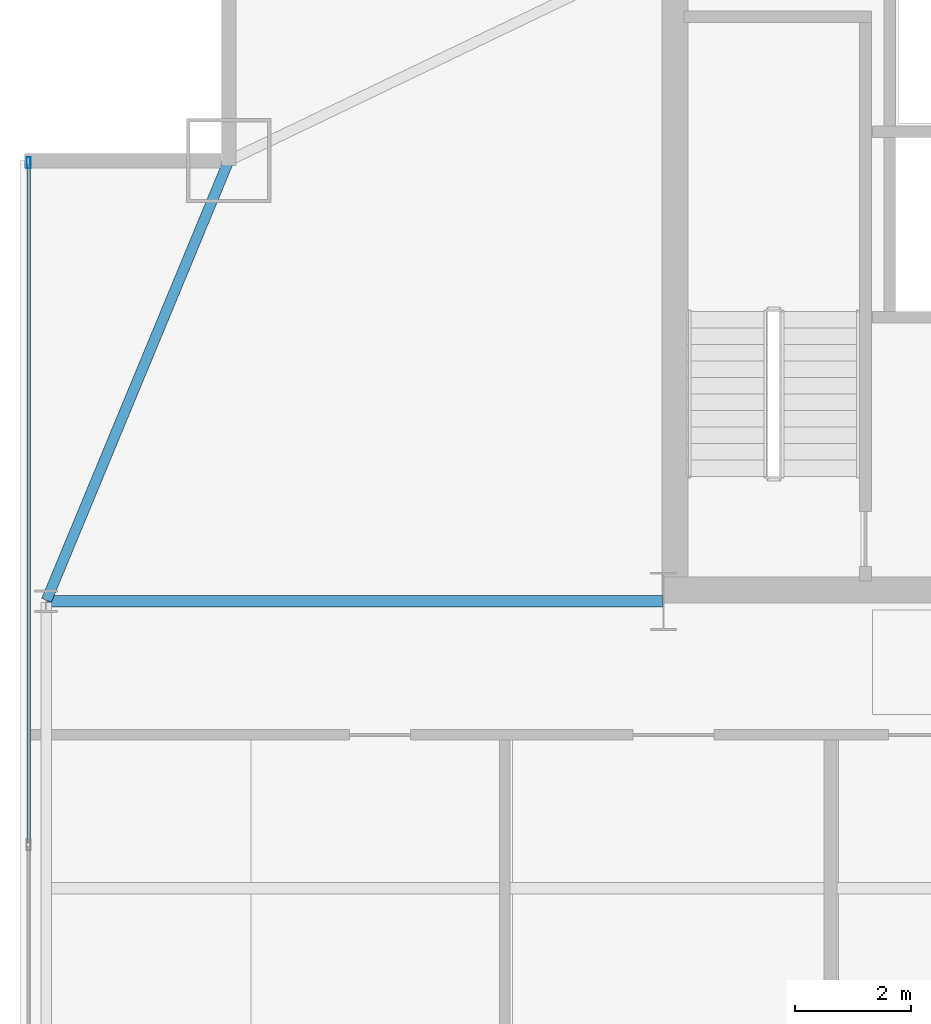
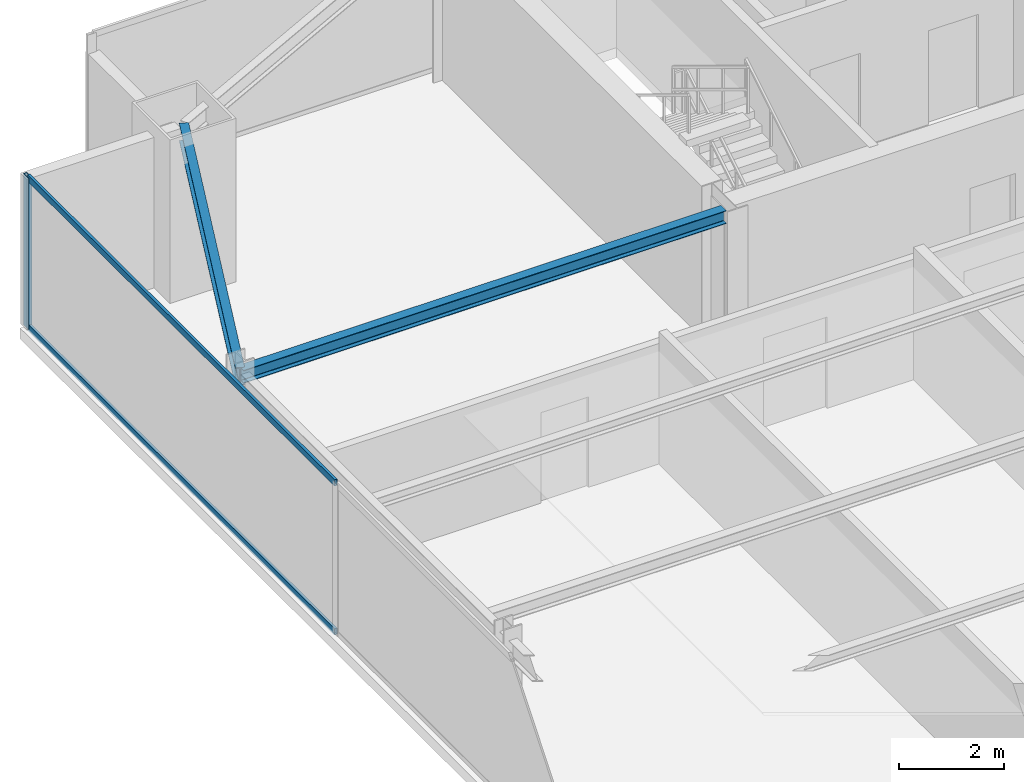
# One storey, part 21 of 31: 3 members, 2 beams, 1 element without a shape of its own.
"""IFC4 building model written with IfcOpenShell, lengths in metres."""

import ifcopenshell
import ifcopenshell.guid

model = None  # the IFC model being written
_history = None  # IfcOwnerHistory: only IFC2X3 demands one
_inside = {}  # id of a spatial element -> (the spatial element, [elements in it])
_under = {}  # id of a project, library or spatial element -> (it, [spatial elements below it])
_declared = {}  # id of a project -> (the project, [libraries it declares])
_typed = {}  # id of a type object -> (the type object, [elements of that type])
_made_of = {}  # id of a material, layer set ... -> (it, [elements and type objects made of it])


def new_model(schema):
    """Start an empty IFC model of exactly this schema.

    Asked for "IFC4X3", IfcOpenShell would pick the latest addendum, in which some entities
    have other attributes; the version numbers below select the first issue.
    IFC2X3 requires an IfcOwnerHistory on every rooted entity: one is made here for all.
    """
    global model, _history
    if schema == "IFC4X3":
        model = ifcopenshell.file(schema_version=(4, 3, 0, 0))
    else:
        model = ifcopenshell.file(schema=schema)
    _inside.clear()
    _under.clear()
    _declared.clear()
    _typed.clear()
    _made_of.clear()
    _history = None
    if model.schema == "IFC2X3":
        org = make("IfcOrganization", Name="unknown")
        user = make(
            "IfcPersonAndOrganization",
            ThePerson=make("IfcPerson", FamilyName="unknown"),
            TheOrganization=org,
        )
        app = make(
            "IfcApplication",
            ApplicationDeveloper=org,
            Version="unknown",
            ApplicationFullName="unknown",
            ApplicationIdentifier="unknown",
        )
        _history = make(
            "IfcOwnerHistory",
            OwningUser=user,
            OwningApplication=app,
            ChangeAction="ADDED",
            CreationDate=0,
        )
    return model


def make(cls, **values):
    """One entity of the class cls with the attributes given. An attribute that is None is left unset."""
    return model.create_entity(
        cls, **{name: value for name, value in values.items() if value is not None}
    )


def rooted(cls, **values):
    """An entity with a GlobalId (a new one), such as an element, a storey or a relation."""
    return make(cls, GlobalId=ifcopenshell.guid.new(), OwnerHistory=_history, **values)


def si_unit(unit_type, name, prefix=None):
    """IfcSIUnit, for example si_unit("LENGTHUNIT", "METRE", prefix="MILLI")."""
    return make("IfcSIUnit", UnitType=unit_type, Prefix=prefix, Name=name)


def assignment(units):
    """IfcUnitAssignment: the units of a project."""
    return None if units is None else make("IfcUnitAssignment", Units=units)


def point(xyz):
    """IfcCartesianPoint."""
    return None if xyz is None else make("IfcCartesianPoint", Coordinates=xyz)


def direction(xyz):
    """IfcDirection."""
    return None if xyz is None else make("IfcDirection", DirectionRatios=xyz)


def frame(location, z_axis=None, x_axis=None):
    """IfcAxis2Placement3D, a coordinate frame: its origin and axes. An axis left out is left unset."""
    return make(
        "IfcAxis2Placement3D",
        Location=point(location),
        Axis=direction(z_axis),
        RefDirection=direction(x_axis),
    )


def frame_2d(location, x_axis=None):
    """IfcAxis2Placement2D, a coordinate frame in the plane: its origin and x axis."""
    return make(
        "IfcAxis2Placement2D", Location=point(location), RefDirection=direction(x_axis)
    )


def origin():
    """The frame at (0, 0, 0) with its axes left unset."""
    return frame((0.0, 0.0, 0.0))


def origin_2d():
    """The frame at (0, 0) in the plane with its x axis left unset."""
    return frame_2d((0.0, 0.0))


def place(relative_to, where):
    """IfcLocalPlacement: puts the frame where relative to a parent placement (None: the world)."""
    return make(
        "IfcLocalPlacement", PlacementRelTo=relative_to, RelativePlacement=where
    )


def context(
    kind, dimensions, precision=None, world=None, true_north=None, identifier=None
):
    """IfcGeometricRepresentationContext, for example the 3D "Model" context."""
    return make(
        "IfcGeometricRepresentationContext",
        ContextIdentifier=identifier,
        ContextType=kind,
        CoordinateSpaceDimension=dimensions,
        Precision=precision,
        WorldCoordinateSystem=world,
        TrueNorth=true_north,
    )


def subcontext(parent, identifier, kind, view, scale=None):
    """IfcGeometricRepresentationSubContext, for example "Body" below "Model"."""
    return make(
        "IfcGeometricRepresentationSubContext",
        ContextIdentifier=identifier,
        ContextType=kind,
        ParentContext=parent,
        TargetScale=scale,
        TargetView=view,
    )


def project(units=None, contexts=None):
    """IfcProject with its units and contexts."""
    return rooted(
        "IfcProject",
        Name="project",
        RepresentationContexts=contexts,
        UnitsInContext=assignment(units),
    )


def spatial(cls, under=None, at=None, **own):
    """A site, building, storey or space (cls), placed at a placement, below another one or the project."""
    s = rooted(cls, ObjectPlacement=at, **own)
    if under is not None:
        _under.setdefault(under.id(), (under, []))[1].append(s)
    return s


def profile(cls, at=None, kind="AREA", **sizes):
    """A parametric profile (cls). Its sizes go by their IFC names, for example OverallWidth=200.0."""
    return make(cls, ProfileType=kind, Position=at, **sizes)


def hollow_rectangle(**sizes):
    """IfcRectangleHollowProfileDef."""
    return profile("IfcRectangleHollowProfileDef", **sizes)


def i_section(**sizes):
    """IfcIShapeProfileDef."""
    return profile("IfcIShapeProfileDef", **sizes)


def extrude(swept, where, along, depth):
    """IfcExtrudedAreaSolid: the profile swept, set in the frame where, extruded along a direction by depth."""
    return make(
        "IfcExtrudedAreaSolid",
        SweptArea=swept,
        Position=where,
        ExtrudedDirection=direction(along),
        Depth=depth,
    )


def shape(context_of_items, identifier, shape_type, items):
    """IfcShapeRepresentation: the items that make up one representation, for example the "Body"."""
    return make(
        "IfcShapeRepresentation",
        ContextOfItems=context_of_items,
        RepresentationIdentifier=identifier,
        RepresentationType=shape_type,
        Items=items,
    )


def source(mapping_origin, context_of_items, identifier, shape_type, items):
    """IfcRepresentationMap: a shape defined once, which mapped items show again and again."""
    return make(
        "IfcRepresentationMap",
        MappingOrigin=mapping_origin,
        MappedRepresentation=shape(context_of_items, identifier, shape_type, items),
    )


def transform(
    local_origin,
    x_axis=None,
    y_axis=None,
    z_axis=None,
    scale=None,
    scale2=None,
    scale3=None,
    uniform=True,
):
    """IfcCartesianTransformationOperator3D, or its non-uniform kind. x_axis, y_axis, z_axis: its Axis1, 2, 3."""
    if uniform:
        return make(
            "IfcCartesianTransformationOperator3D",
            Axis1=direction(x_axis),
            Axis2=direction(y_axis),
            LocalOrigin=point(local_origin),
            Scale=scale,
            Axis3=direction(z_axis),
        )
    return make(
        "IfcCartesianTransformationOperator3DnonUniform",
        Axis1=direction(x_axis),
        Axis2=direction(y_axis),
        LocalOrigin=point(local_origin),
        Scale=scale,
        Axis3=direction(z_axis),
        Scale2=scale2,
        Scale3=scale3,
    )


def mapped(mapping_source, mapping_target):
    """IfcMappedItem: shows the shape of a source again, moved by a transform."""
    return make(
        "IfcMappedItem", MappingSource=mapping_source, MappingTarget=mapping_target
    )


def material(Name=None, Category=None):
    """IfcMaterial."""
    return make("IfcMaterial", Name=Name, Category=Category)


def layer(
    of_material, thickness, ventilated=None, Name=None, Category=None, Priority=None
):
    """IfcMaterialLayer: one layer of a wall or slab, of a material (None: an air gap)."""
    return make(
        "IfcMaterialLayer",
        Material=of_material,
        LayerThickness=thickness,
        IsVentilated=ventilated,
        Name=Name,
        Category=Category,
        Priority=Priority,
    )


def layer_set(layers, Name=None):
    """IfcMaterialLayerSet."""
    return make("IfcMaterialLayerSet", MaterialLayers=layers, LayerSetName=Name)


def material_profile(
    of_material, cross_section, Name=None, Category=None, Priority=None
):
    """IfcMaterialProfile: a cross section and its material."""
    return make(
        "IfcMaterialProfile",
        Name=Name,
        Material=of_material,
        Profile=cross_section,
        Priority=Priority,
        Category=Category,
    )


def profile_set(profiles, Name=None, composite=None):
    """IfcMaterialProfileSet."""
    return make(
        "IfcMaterialProfileSet",
        Name=Name,
        MaterialProfiles=profiles,
        CompositeProfile=composite,
    )


def made_of(thing, what):
    """Note that an element or type object is made of a material, layer set ...; save() writes the relation."""
    if what is not None:
        _made_of.setdefault(what.id(), (what, []))[1].append(thing)
    return thing


def type_object(cls, material=None, **own):
    """A type object (cls), such as IfcWallType, which elements share."""
    return made_of(rooted(cls, **own), material)


def type_shapes(of_type, sources):
    """Give a type object the sources (RepresentationMaps) that its elements show as mapped items."""
    of_type.RepresentationMaps = sources


def element(
    cls,
    number,
    at=None,
    inside=None,
    cuts=None,
    type_object=None,
    material=None,
    context=None,
    identifier="Body",
    shape_type=None,
    held_by="IfcProductDefinitionShape",
    body=None,
    shapes=None,
    **own,
):
    """One element of the class cls, such as IfcWall. Its Tag is "e" and its number.

    at: its placement. inside: the storey or other place that contains it. cuts: it is an
    opening in that element (IfcRelVoidsElement). A single representation is given by context,
    identifier, shape_type and body (its items); several are given by shapes. held_by: the class
    of the entity that holds the representations. save() writes the other relations.
    """
    e = rooted(cls, Tag="e%d" % number, ObjectPlacement=at, **own)
    if body is not None:
        shapes = [shape(context, identifier, shape_type, body)]
    if shapes is not None:
        e.Representation = make(held_by, Representations=shapes)
    if inside is not None:
        _inside.setdefault(inside.id(), (inside, []))[1].append(e)
    if cuts is not None:
        rooted(
            "IfcRelVoidsElement", RelatingBuildingElement=cuts, RelatedOpeningElement=e
        )
    if type_object is not None:
        _typed.setdefault(type_object.id(), (type_object, []))[1].append(e)
    return made_of(e, material)


def aggregate(whole, parts):
    """IfcRelAggregates: a whole, such as a stair, and the parts it consists of."""
    return rooted("IfcRelAggregates", RelatingObject=whole, RelatedObjects=parts)


def save(model, path):
    """Write the relations noted so far, then the file.

    IfcRelAggregates (storeys below a building ...), IfcRelContainedInSpatialStructure (elements
    in a storey), IfcRelDefinesByType, IfcRelAssociatesMaterial and IfcRelDeclares: one each for
    every whole, place, type object, material and project.
    """
    for whole, parts in _under.values():
        aggregate(whole, parts)
    for where, things in _inside.values():
        rooted(
            "IfcRelContainedInSpatialStructure",
            RelatedElements=things,
            RelatingStructure=where,
        )
    for kind, things in _typed.values():
        rooted("IfcRelDefinesByType", RelatedObjects=things, RelatingType=kind)
    for what, things in _made_of.values():
        rooted("IfcRelAssociatesMaterial", RelatedObjects=things, RelatingMaterial=what)
    for by, libraries in _declared.values():
        rooted("IfcRelDeclares", RelatingContext=by, RelatedDefinitions=libraries)
    model.write(path)


model = new_model("IFC4")

# Units and contexts
model_context = context("Model", 3, precision=1e-05, world=origin(), true_north=direction((0.0, 1.0)))
body_context = subcontext(model_context, "Body", "Model", "MODEL_VIEW")
ifc_project = project(units=[si_unit("LENGTHUNIT", "METRE"), si_unit("AREAUNIT", "SQUARE_METRE"), si_unit("VOLUMEUNIT", "CUBIC_METRE"), si_unit("PLANEANGLEUNIT", "RADIAN"), si_unit("MASSUNIT", "GRAM", prefix="KILO")], contexts=[model_context])

# Site, building, storey
site_placement = place(None, origin())
site = spatial("IfcSite", under=ifc_project, at=site_placement, CompositionType="ELEMENT")
building_placement = place(site_placement, origin())
building = spatial("IfcBuilding", under=site, at=building_placement, Name="Varnel Quay Broadcast Tower", CompositionType="ELEMENT")
storey_placement = place(building_placement, frame((0.0, 0.0, 94.60009765625)))
storey = spatial("IfcBuildingStorey", under=building, at=storey_placement, Name="L22", CompositionType="ELEMENT", Elevation=94.60009765625)

# Beams
ifc_material_1 = material(Name="Structural Steel CSA G40.21 350W", Category="steel")
ifc_material_profile_1 = material_profile(ifc_material_1, i_section(OverallWidth=0.180908203125, OverallDepth=0.4169921875, WebThickness=0.010986328125, FlangeThickness=0.018310546875, FilletRadius=0.011962890625, at=origin_2d()), Name="W410X85")
ifc_profile_set_1 = profile_set([ifc_material_profile_1], Name="Structural Steel CSA G40.21 350W")
beam_type_1 = type_object("IfcBeamType", Name="Beam_W410X85", PredefinedType="SPANDREL", material=ifc_profile_set_1)
shared_shape_1 = source(origin(), body_context, "Body", "SweptSolid", [
    extrude(i_section(OverallWidth=0.180908203125, OverallDepth=0.4169921875, WebThickness=0.010986328125, FlangeThickness=0.018310546875, FilletRadius=0.011962890625, at=origin_2d()), origin(), (0.0, 0.0, 1.0), 8.186767578125),
])
type_shapes(beam_type_1, [shared_shape_1])
beam_1_placement = place(storey_placement, frame((4.957763671875, 35.618408203125, 3.3115234375), z_axis=(0.382874132092, 0.923800519038, 0.0), x_axis=(-0.923800519038, 0.382874132092, 0.0)))
element("IfcBeam", 1, at=beam_1_placement, inside=storey, type_object=beam_type_1, Name="L22 West Spandrel TC-W3-MC-NW", PredefinedType="SPANDREL", context=body_context, shape_type="MappedRepresentation", body=[
    mapped(shared_shape_1, transform((0.0, 0.0, 0.0), x_axis=(1.0, 0.0, 0.0), y_axis=(0.0, 1.0, 0.0), z_axis=(0.0, 0.0, 1.0), scale=1.0)),
])
ifc_material_profile_2 = material_profile(ifc_material_1, i_section(OverallWidth=0.202880859375, OverallDepth=0.302978515625, WebThickness=0.007568359375, FlangeThickness=0.01318359375, FilletRadius=0.011962890625, at=origin_2d()), Name="W310X60")
ifc_profile_set_2 = profile_set([ifc_material_profile_2], Name="Structural Steel CSA G40.21 350W")
beam_type_2 = type_object("IfcBeamType", Name="Beam_W310X60", PredefinedType="JOIST", material=ifc_profile_set_2)
shared_shape_2 = source(origin(), body_context, "Body", "SweptSolid", [
    extrude(i_section(OverallWidth=0.202880859375, OverallDepth=0.302978515625, WebThickness=0.007568359375, FlangeThickness=0.01318359375, FilletRadius=0.011962890625, at=origin_2d()), origin(), (0.0, 0.0, 1.0), 10.610107421875),
])
type_shapes(beam_type_2, [shared_shape_2])
beam_2_placement = place(storey_placement, frame((4.969970703125, 35.60009765625, 3.368408203125), z_axis=(1.0, 0.0, 0.0), x_axis=(0.0, 1.0, 0.0)))
element("IfcBeam", 2, at=beam_2_placement, inside=storey, type_object=beam_type_2, Name="L22 West Core Tie Joist", PredefinedType="JOIST", context=body_context, shape_type="MappedRepresentation", body=[
    mapped(shared_shape_2, transform((0.0, 0.0, 0.0), x_axis=(1.0, 0.0, 0.0), y_axis=(0.0, 1.0, 0.0), z_axis=(0.0, 0.0, 1.0), scale=1.0)),
])

# Curtain wall, members
ifc_material_2 = material(Name="Anodised Bronze Aluminium 6063-T6", Category="aluminium")
ifc_layer = layer(ifc_material_2, 0.18994140625, Name="Anodised Bronze Aluminium 6063-T6")
ifc_layer_set = layer_set([ifc_layer], Name="Anodised Bronze Aluminium 6063-T6")
curtain_wall_type = type_object("IfcCurtainWallType", Name="CW_LowerTower", PredefinedType="NOTDEFINED", material=ifc_layer_set)
curtain_wall_placement = place(storey_placement, origin())
curtain_wall = element("IfcCurtainWall", 3, at=curtain_wall_placement, inside=storey, type_object=curtain_wall_type, Name="L22 West Unitised Curtain Wall", PredefinedType="NOTDEFINED")
ifc_material_profile_3 = material_profile(ifc_material_2, hollow_rectangle(XDim=0.06005859375, YDim=0.14501953125, WallThickness=0.00341796875, at=origin_2d()), Name="ALU60X145X3.5")
ifc_profile_set_3 = profile_set([ifc_material_profile_3], Name="Anodised Bronze Aluminium 6063-T6")
member_type_1 = type_object("IfcMemberType", Name="Tran_CWS-02", PredefinedType="USERDEFINED", material=ifc_profile_set_3)
shared_shape_3 = source(origin(), body_context, "Body", "SweptSolid", [
    extrude(hollow_rectangle(XDim=0.06005859375, YDim=0.14501953125, WallThickness=0.00341796875, at=origin_2d()), origin(), (0.0, 0.0, 1.0), 11.69482421875),
])
type_shapes(member_type_1, [shared_shape_3])
member_1_placement = place(storey_placement, frame((4.64990234375, 31.43505859375, 0.02978515625), z_axis=(0.0, 1.0, 0.0), x_axis=(-1.0, 0.0, 0.0)))
member_1 = element("IfcMember", 4, at=member_1_placement, type_object=member_type_1, Name="CWS-02 transom 3.1", ObjectType="TRANSOM", PredefinedType="USERDEFINED", context=body_context, shape_type="MappedRepresentation", body=[
    mapped(shared_shape_3, transform((0.0, 0.0, 0.0), x_axis=(1.0, 0.0, 0.0), y_axis=(0.0, 1.0, 0.0), z_axis=(0.0, 0.0, 1.0), scale=1.0)),
])
member_2_placement = place(storey_placement, frame((4.64990234375, 31.43505859375, 3.489990234375), z_axis=(0.0, 1.0, 0.0), x_axis=(-1.0, 0.0, 0.0)))
member_2 = element("IfcMember", 5, at=member_2_placement, type_object=member_type_1, Name="CWS-02 transom 3.2", ObjectType="TRANSOM", PredefinedType="USERDEFINED", context=body_context, shape_type="MappedRepresentation", body=[
    mapped(shared_shape_3, transform((0.0, 0.0, 0.0), x_axis=(1.0, 0.0, 0.0), y_axis=(0.0, 1.0, 0.0), z_axis=(0.0, 0.0, 1.0), scale=1.0)),
])
ifc_material_profile_4 = material_profile(ifc_material_2, hollow_rectangle(XDim=0.070068359375, YDim=0.18994140625, WallThickness=0.00390625, at=origin_2d()), Name="ALU70X190X4")
ifc_profile_set_4 = profile_set([ifc_material_profile_4], Name="Anodised Bronze Aluminium 6063-T6")
member_type_2 = type_object("IfcMemberType", Name="Mull_CWS-02", PredefinedType="MULLION", material=ifc_profile_set_4)
shared_shape_4 = source(origin(), body_context, "Body", "SweptSolid", [
    extrude(hollow_rectangle(XDim=0.070068359375, YDim=0.18994140625, WallThickness=0.00390625, at=origin_2d()), origin(), (0.0, 0.0, 1.0), 3.52001953125),
])
type_shapes(member_type_2, [shared_shape_4])
member_3_placement = place(storey_placement, frame((4.64990234375, 43.1650390625, 0.0), z_axis=(0.0, 0.0, 1.0), x_axis=(-1.0, 0.0, 0.0)))
member_3 = element("IfcMember", 6, at=member_3_placement, type_object=member_type_2, Name="CWS-02 mullion 4", PredefinedType="MULLION", context=body_context, shape_type="MappedRepresentation", body=[
    mapped(shared_shape_4, transform((0.0, 0.0, 0.0), x_axis=(1.0, 0.0, 0.0), y_axis=(0.0, 1.0, 0.0), z_axis=(0.0, 0.0, 1.0), scale=1.0)),
])
aggregate(curtain_wall, [member_3, member_1, member_2])

save(model, "model.ifc")
